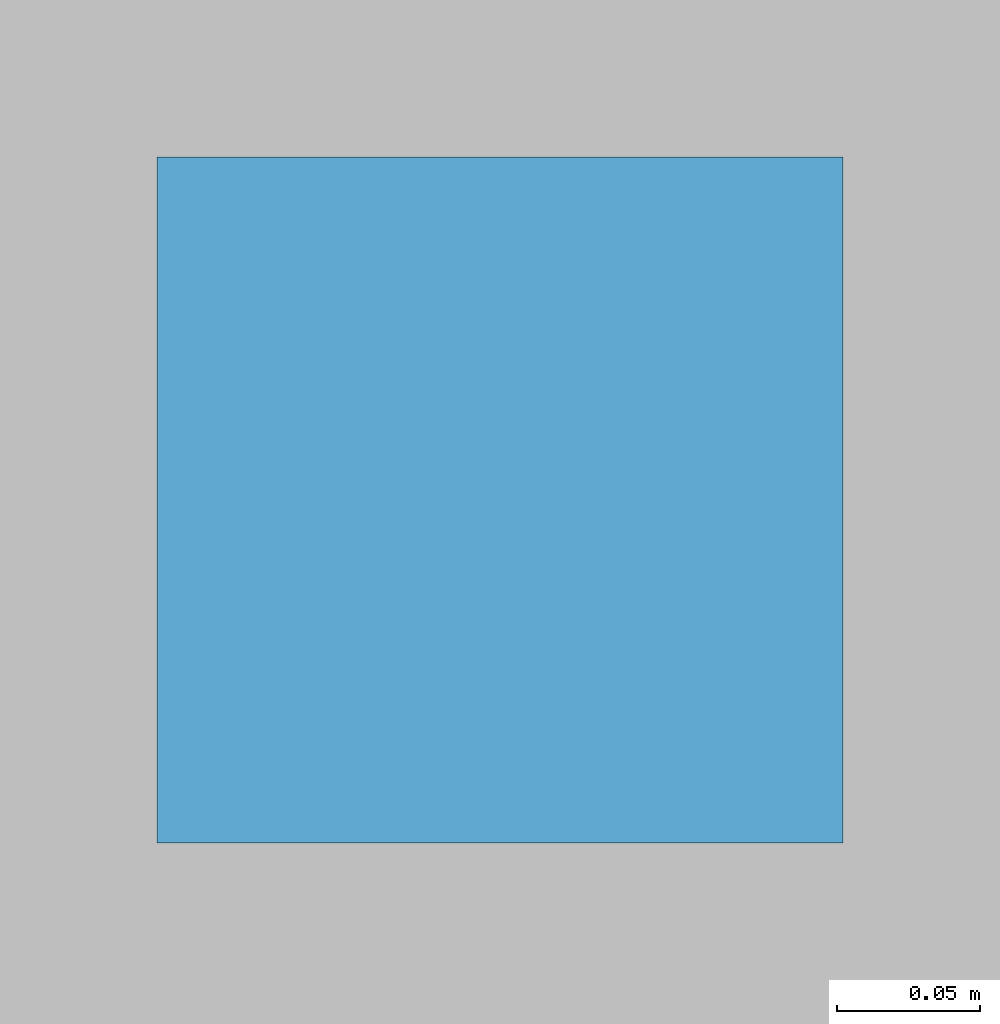
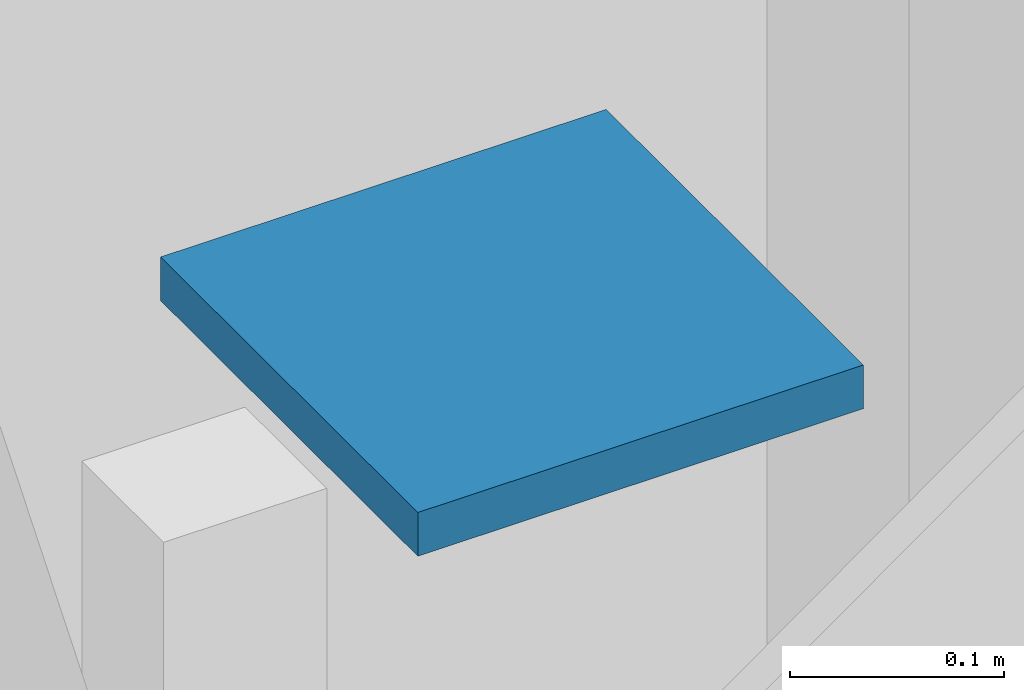
# One storey, part 65 of 86: 1 discrete accessory.
"""IFC4 building model written with IfcOpenShell, lengths in metres."""

from ifc_helpers import new_model, si_unit, direction, frame, origin, origin_2d, place, context, subcontext, project, spatial, rectangle, extrude, material, type_object, element, save


model = new_model("IFC4")

# Units and contexts
model_context = context("Model", 3, precision=1e-05, world=origin(), true_north=direction((0.0, 1.0)))
body_context = subcontext(model_context, "Body", "Model", "MODEL_VIEW")
ifc_project = project(units=[si_unit("LENGTHUNIT", "METRE"), si_unit("AREAUNIT", "SQUARE_METRE"), si_unit("VOLUMEUNIT", "CUBIC_METRE"), si_unit("PLANEANGLEUNIT", "RADIAN"), si_unit("MASSUNIT", "GRAM", prefix="KILO")], contexts=[model_context])

# Site, building, storey
site_placement = place(None, origin())
site = spatial("IfcSite", under=ifc_project, at=site_placement, CompositionType="ELEMENT")
building_placement = place(site_placement, origin())
building = spatial("IfcBuilding", under=site, at=building_placement, Name="Kenh Van Central Station", CompositionType="ELEMENT")
storey_placement = place(building_placement, origin())
storey = spatial("IfcBuildingStorey", under=building, at=storey_placement, Name="L00", CompositionType="ELEMENT", Elevation=0.0)

# Discrete accessory
ifc_material = material(Name="Structural steel S355JR", Category="steel")
discrete_accessory_type = type_object("IfcDiscreteAccessoryType", Name="ACC-END-NODE", PredefinedType="BRACKET", material=ifc_material)
discrete_accessory_placement = place(storey_placement, frame((145.10009765625, 96.0, 4.917724609375), z_axis=(0.0, 0.0, 1.0), x_axis=(1.0, 0.0, 0.0)))
element("IfcDiscreteAccessory", 1, at=discrete_accessory_placement, inside=storey, type_object=discrete_accessory_type, Name="L00 brace end connection node plate 0378", PredefinedType="BRACKET", context=body_context, shape_type="SweptSolid", body=[
    extrude(rectangle(XDim=0.239990234375, YDim=0.239990234375, at=origin_2d()), origin(), (0.0, 0.0, 1.0), 0.02490234375),
])

save(model, "model.ifc")
